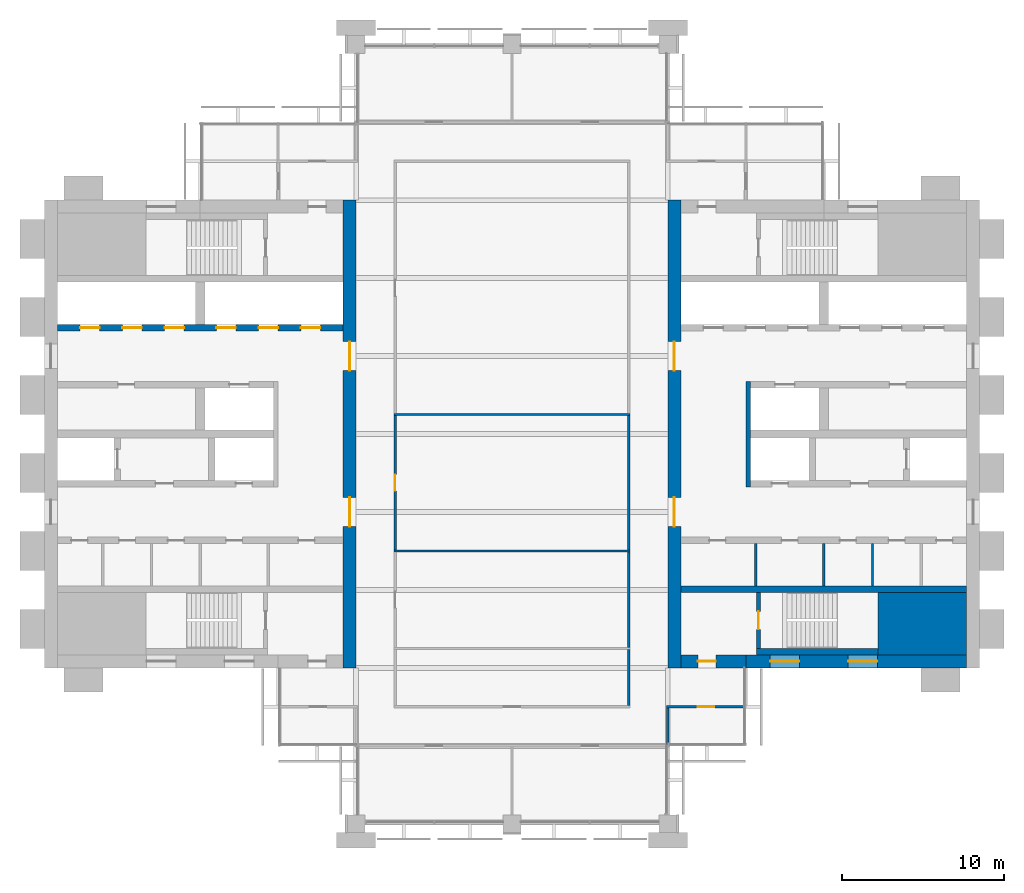
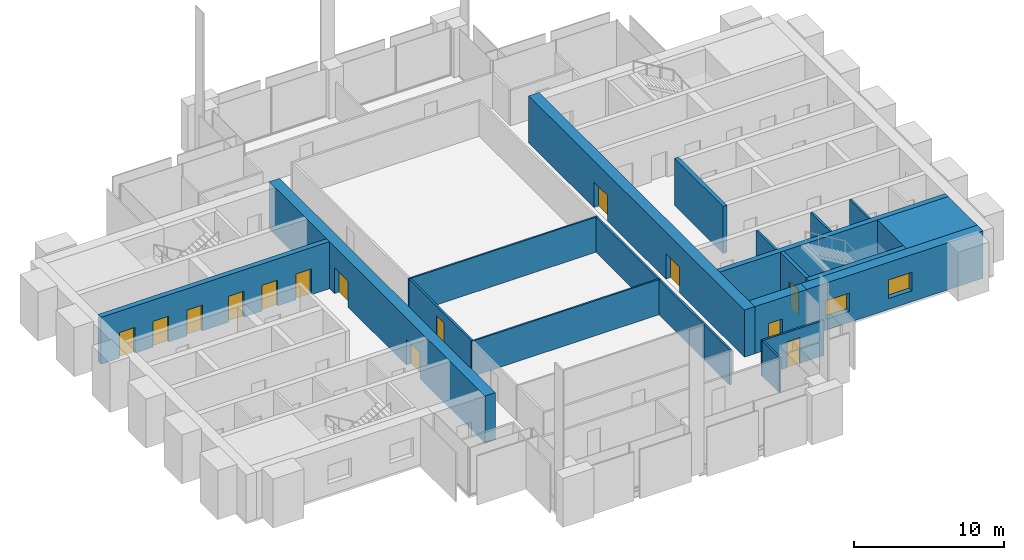
# One storey, part 9 of 13: 21 walls, 14 doors, 2 windows, 16 openings.
"""IFC4 building model written with IfcOpenShell, lengths in metres."""

from ifc_helpers import new_model, si_unit, direction, frame, frame_2d, origin, place, context, subcontext, project, spatial, rectangle, extrude, material, layer, layer_set, type_object, element, fill, save


model = new_model("IFC4")

# Units and contexts
model_context = context("Model", 3, precision=1e-05, world=origin(), true_north=direction((0.0, 1.0)))
body_context = subcontext(model_context, "Body", "Model", "MODEL_VIEW")
ifc_project = project(units=[si_unit("LENGTHUNIT", "METRE"), si_unit("AREAUNIT", "SQUARE_METRE"), si_unit("VOLUMEUNIT", "CUBIC_METRE"), si_unit("PLANEANGLEUNIT", "RADIAN"), si_unit("MASSUNIT", "GRAM", prefix="KILO")], contexts=[model_context])

# Site, building, storey
site_placement = place(None, origin())
site = spatial("IfcSite", under=ifc_project, at=site_placement, CompositionType="ELEMENT")
building_placement = place(site_placement, origin())
building = spatial("IfcBuilding", under=site, at=building_placement, Name="Baori Bourse Tower", CompositionType="ELEMENT")
storey_placement = place(building_placement, frame((0.0, 0.0, 249.199951171875)))
storey = spatial("IfcBuildingStorey", under=building, at=storey_placement, Name="L55", CompositionType="ELEMENT", Elevation=249.199951171875)

# Walls
ifc_material_1 = material(Name="Concrete f'c 50 MPa", Category="concrete")
wall_type_1 = type_object("IfcWallType", Name="Core corner block f'c 50", PredefinedType="SHEAR", material=ifc_material_1)
wall_1_placement = place(storey_placement, frame((51.35009765625, 12.324951171875, 0.0), z_axis=(0.0, 0.0, 1.0), x_axis=(1.0, 0.0, 0.0)))
element("IfcWall", 1, at=wall_1_placement, inside=storey, type_object=wall_type_1, Name="Core wall E05", PredefinedType="SHEAR", context=body_context, shape_type="SweptSolid", body=[
    extrude(rectangle(XDim=5.449951171875, YDim=3.85009765625, at=frame_2d((2.72509765625, 0.0))), origin(), (0.0, 0.0, 1.0), 3.840087890625),
])
ifc_material_2 = material(Name="Blockwork partition", Category="masonry")
ifc_layer_1 = layer(ifc_material_2, 0.14990234375)
ifc_layer_set_1 = layer_set([ifc_layer_1], Name="Core partition 150")
wall_type_2 = type_object("IfcWallType", Name="Core partition 150", PredefinedType="PARTITIONING", material=ifc_layer_set_1)
for number, where, z_axis, x_axis, name in (
    (2, (51.0, 14.64990234375, 0.0), (0.0, 0.0, 1.0), (0.0, 1.0, 0.0), "Partition wall E10"),
    (3, (48.0, 14.64990234375, 0.0), (0.0, 0.0, 1.0), (0.0, 1.0, 0.0), "Partition wall E11"),
    (4, (43.800048828125, 14.64990234375, 0.0), (0.0, 0.0, 1.0), (0.0, 1.0, 0.0), "Partition wall E12"),
):
    element("IfcWall", number, at=place(storey_placement, frame(where, z_axis=z_axis, x_axis=x_axis)), inside=storey, type_object=wall_type_2, Name=name, PredefinedType="PARTITIONING", context=body_context, shape_type="SweptSolid", body=[
        extrude(rectangle(XDim=2.60009765625, YDim=0.14990234375, at=frame_2d((1.300048828125, 0.0))), origin(), (0.0, 0.0, 1.0), 3.840087890625),
    ])

# Wall, openings, doors
ifc_material_3 = material(Name="Concrete f'c 50 MPa", Category="concrete")
ifc_layer_2 = layer(ifc_material_3, 0.800048828125)
ifc_layer_set_2 = layer_set([ifc_layer_2], Name="Core wall 800 f'c 50")
wall_type_3 = type_object("IfcWallType", Name="Core wall 800 f'c 50", PredefinedType="SHEAR", material=ifc_layer_set_2)
wall_2_placement = place(storey_placement, frame((18.800048828125, 38.39990234375, 0.0), z_axis=(0.0, 0.0, 1.0), x_axis=(0.0, -1.0, 0.0)))
wall_2 = element("IfcWall", 5, at=wall_2_placement, inside=storey, type_object=wall_type_3, Name="Core wall W04", PredefinedType="SHEAR", context=body_context, shape_type="SweptSolid", body=[
    extrude(rectangle(XDim=28.7998046875, YDim=0.800048828125, at=frame_2d((14.39990234375, 0.0))), origin(), (0.0, 0.0, 1.0), 3.840087890625),
])
opening_1_placement = place(wall_2_placement, frame((18.300048828125, 0.0, 0.0)))
opening_1 = element("IfcOpeningElement", 6, at=opening_1_placement, cuts=wall_2, Name="Opening L55-D107", PredefinedType="OPENING", context=body_context, shape_type="SweptSolid", body=[
    extrude(rectangle(XDim=1.800048828125, YDim=2.10009765625, at=frame_2d((0.89990234375, 1.050048828125))), frame((0.0, 0.409912109375, 0.0), z_axis=(0.0, -1.0, 0.0), x_axis=(1.0, 0.0, 0.0)), (0.0, 0.0, 1.0), 0.820068359375),
])
opening_2_placement = place(wall_2_placement, frame((8.699951171875, 0.0, 0.0)))
opening_2 = element("IfcOpeningElement", 7, at=opening_2_placement, cuts=wall_2, Name="Opening L55-D108", PredefinedType="OPENING", context=body_context, shape_type="SweptSolid", body=[
    extrude(rectangle(XDim=1.800048828125, YDim=2.10009765625, at=frame_2d((0.89990234375, 1.050048828125))), frame((0.0, 0.409912109375, 0.0), z_axis=(0.0, -1.0, 0.0), x_axis=(1.0, 0.0, 0.0)), (0.0, 0.0, 1.0), 0.820068359375),
])
ifc_material_4 = material(Name="Painted steel door", Category="steel")
door_type_1 = type_object("IfcDoorType", Name="Core lobby door 1800", OperationType="DOUBLE_DOOR_SINGLE_SWING", PredefinedType="DOOR", material=ifc_material_4)
door_1_placement = place(opening_1_placement, origin())
door_1 = element("IfcDoor", 8, at=door_1_placement, inside=storey, type_object=door_type_1, Name="Lobby door W L55", OperationType="DOUBLE_DOOR_SINGLE_SWING", OverallHeight=2.10009765625, OverallWidth=1.800048828125, PredefinedType="DOOR", context=body_context, shape_type="SweptSolid", body=[
    extrude(rectangle(XDim=1.800048828125, YDim=2.10009765625, at=frame_2d((0.89990234375, 1.050048828125))), frame((0.0, 0.02490234375, 0.0), z_axis=(0.0, -1.0, 0.0), x_axis=(1.0, 0.0, 0.0)), (0.0, 0.0, 1.0), 0.050048828125),
])
fill(opening_1, door_1)
door_2_placement = place(opening_2_placement, origin())
door_2 = element("IfcDoor", 9, at=door_2_placement, inside=storey, type_object=door_type_1, Name="Lobby door W L55", OperationType="DOUBLE_DOOR_SINGLE_SWING", OverallHeight=2.10009765625, OverallWidth=1.800048828125, PredefinedType="DOOR", context=body_context, shape_type="SweptSolid", body=[
    extrude(rectangle(XDim=1.800048828125, YDim=2.10009765625, at=frame_2d((0.89990234375, 1.050048828125))), frame((0.0, 0.02490234375, 0.0), z_axis=(0.0, -1.0, 0.0), x_axis=(1.0, 0.0, 0.0)), (0.0, 0.0, 1.0), 0.050048828125),
])
fill(opening_2, door_2)

# Wall, openings, windows
wall_3_placement = place(storey_placement, frame((56.800048828125, 10.0, 0.0), z_axis=(0.0, 0.0, 1.0), x_axis=(-1.0, 0.0, 0.0)))
wall_3 = element("IfcWall", 10, at=wall_3_placement, inside=storey, type_object=wall_type_3, Name="Core wall E02", PredefinedType="SHEAR", context=body_context, shape_type="SweptSolid", body=[
    extrude(rectangle(XDim=13.60009765625, YDim=0.800048828125, at=frame_2d((6.800048828125, 0.0))), origin(), (0.0, 0.0, 1.0), 3.840087890625),
])
opening_3_placement = place(wall_3_placement, frame((5.5, 0.0, 0.89990234375)))
opening_3 = element("IfcOpeningElement", 11, at=opening_3_placement, cuts=wall_3, Name="Opening L55-KW203", PredefinedType="OPENING", context=body_context, shape_type="SweptSolid", body=[
    extrude(rectangle(XDim=1.800048828125, YDim=1.5, at=frame_2d((0.89990234375, 0.75))), frame((0.0, 0.409912109375, 0.0), z_axis=(0.0, -1.0, 0.0), x_axis=(1.0, 0.0, 0.0)), (0.0, 0.0, 1.0), 0.820068359375),
])
opening_4_placement = place(wall_3_placement, frame((10.300048828125, 0.0, 0.89990234375)))
opening_4 = element("IfcOpeningElement", 12, at=opening_4_placement, cuts=wall_3, Name="Opening L55-KW204", PredefinedType="OPENING", context=body_context, shape_type="SweptSolid", body=[
    extrude(rectangle(XDim=1.800048828125, YDim=1.5, at=frame_2d((0.89990234375, 0.75))), frame((0.0, 0.409912109375, 0.0), z_axis=(0.0, -1.0, 0.0), x_axis=(1.0, 0.0, 0.0)), (0.0, 0.0, 1.0), 0.820068359375),
])
ifc_material_5 = material(Name="Pale anodised aluminium", Category="aluminium")
window_type = type_object("IfcWindowType", Name="Stair window 1800 x 1500", PartitioningType="SINGLE_PANEL", PredefinedType="WINDOW", material=ifc_material_5)
window_1_placement = place(opening_3_placement, origin())
window_1 = element("IfcWindow", 13, at=window_1_placement, inside=storey, type_object=window_type, Name="Stair window E L55 3", OverallHeight=1.5, OverallWidth=1.800048828125, PartitioningType="SINGLE_PANEL", PredefinedType="WINDOW", context=body_context, shape_type="SweptSolid", body=[
    extrude(rectangle(XDim=1.800048828125, YDim=1.5, at=frame_2d((0.89990234375, 0.75))), frame((0.0, 0.030029296875, 0.0), z_axis=(0.0, -1.0, 0.0), x_axis=(1.0, 0.0, 0.0)), (0.0, 0.0, 1.0), 0.06005859375),
])
fill(opening_3, window_1)
window_2_placement = place(opening_4_placement, origin())
window_2 = element("IfcWindow", 14, at=window_2_placement, inside=storey, type_object=window_type, Name="Stair window E L55 4", OverallHeight=1.5, OverallWidth=1.800048828125, PartitioningType="SINGLE_PANEL", PredefinedType="WINDOW", context=body_context, shape_type="SweptSolid", body=[
    extrude(rectangle(XDim=1.800048828125, YDim=1.5, at=frame_2d((0.89990234375, 0.75))), frame((0.0, 0.030029296875, 0.0), z_axis=(0.0, -1.0, 0.0), x_axis=(1.0, 0.0, 0.0)), (0.0, 0.0, 1.0), 0.06005859375),
])
fill(opening_4, window_2)

# Wall, opening, door
wall_4_placement = place(storey_placement, frame((43.199951171875, 10.0, 0.0), z_axis=(0.0, 0.0, 1.0), x_axis=(-1.0, 0.0, 0.0)))
wall_4 = element("IfcWall", 15, at=wall_4_placement, inside=storey, type_object=wall_type_3, Name="Core wall E03", PredefinedType="SHEAR", context=body_context, shape_type="SweptSolid", body=[
    extrude(rectangle(XDim=4.0, YDim=0.800048828125, at=frame_2d((2.0, 0.0))), origin(), (0.0, 0.0, 1.0), 3.840087890625),
])
opening_5_placement = place(wall_4_placement, frame((1.85009765625, 0.0, 0.0)))
opening_5 = element("IfcOpeningElement", 16, at=opening_5_placement, cuts=wall_4, Name="Opening L55-D202", PredefinedType="OPENING", context=body_context, shape_type="SweptSolid", body=[
    extrude(rectangle(XDim=1.10009765625, YDim=2.10009765625, at=frame_2d((0.550048828125, 1.050048828125))), frame((0.0, 0.409912109375, 0.0), z_axis=(0.0, -1.0, 0.0), x_axis=(1.0, 0.0, 0.0)), (0.0, 0.0, 1.0), 0.820068359375),
])
ifc_material_6 = material(Name="Painted steel door", Category="steel")
door_type_2 = type_object("IfcDoorType", Name="Stair door 1100", OperationType="SINGLE_SWING_LEFT", PredefinedType="DOOR", material=ifc_material_6)
door_3_placement = place(opening_5_placement, origin())
door_3 = element("IfcDoor", 17, at=door_3_placement, inside=storey, type_object=door_type_2, Name="Stair vestibule door A E L55", OperationType="SINGLE_SWING_LEFT", OverallHeight=2.10009765625, OverallWidth=1.10009765625, PredefinedType="DOOR", context=body_context, shape_type="SweptSolid", body=[
    extrude(rectangle(XDim=1.10009765625, YDim=2.10009765625, at=frame_2d((0.550048828125, 1.050048828125))), frame((0.0, 0.02490234375, 0.0), z_axis=(0.0, -1.0, 0.0), x_axis=(1.0, 0.0, 0.0)), (0.0, 0.0, 1.0), 0.050048828125),
])
fill(opening_5, door_3)

# Wall, openings, doors
wall_5_placement = place(storey_placement, frame((38.800048828125, 9.60009765625, 0.0), z_axis=(0.0, 0.0, 1.0), x_axis=(0.0, 1.0, 0.0)))
wall_5 = element("IfcWall", 18, at=wall_5_placement, inside=storey, type_object=wall_type_3, Name="Core wall E04", PredefinedType="SHEAR", context=body_context, shape_type="SweptSolid", body=[
    extrude(rectangle(XDim=28.7998046875, YDim=0.800048828125, at=frame_2d((14.39990234375, 0.0))), origin(), (0.0, 0.0, 1.0), 3.840087890625),
])
opening_6_placement = place(wall_5_placement, frame((8.699951171875, 0.0, 0.0)))
opening_6 = element("IfcOpeningElement", 19, at=opening_6_placement, cuts=wall_5, Name="Opening L55-D207", PredefinedType="OPENING", context=body_context, shape_type="SweptSolid", body=[
    extrude(rectangle(XDim=1.800048828125, YDim=2.10009765625, at=frame_2d((0.89990234375, 1.050048828125))), frame((0.0, 0.409912109375, 0.0), z_axis=(0.0, -1.0, 0.0), x_axis=(1.0, 0.0, 0.0)), (0.0, 0.0, 1.0), 0.820068359375),
])
opening_7_placement = place(wall_5_placement, frame((18.300048828125, 0.0, 0.0)))
opening_7 = element("IfcOpeningElement", 20, at=opening_7_placement, cuts=wall_5, Name="Opening L55-D208", PredefinedType="OPENING", context=body_context, shape_type="SweptSolid", body=[
    extrude(rectangle(XDim=1.800048828125, YDim=2.10009765625, at=frame_2d((0.89990234375, 1.050048828125))), frame((0.0, 0.409912109375, 0.0), z_axis=(0.0, -1.0, 0.0), x_axis=(1.0, 0.0, 0.0)), (0.0, 0.0, 1.0), 0.820068359375),
])
door_4_placement = place(opening_6_placement, origin())
door_4 = element("IfcDoor", 21, at=door_4_placement, inside=storey, type_object=door_type_1, Name="Lobby door E L55", OperationType="DOUBLE_DOOR_SINGLE_SWING", OverallHeight=2.10009765625, OverallWidth=1.800048828125, PredefinedType="DOOR", context=body_context, shape_type="SweptSolid", body=[
    extrude(rectangle(XDim=1.800048828125, YDim=2.10009765625, at=frame_2d((0.89990234375, 1.050048828125))), frame((0.0, 0.02490234375, 0.0), z_axis=(0.0, -1.0, 0.0), x_axis=(1.0, 0.0, 0.0)), (0.0, 0.0, 1.0), 0.050048828125),
])
fill(opening_6, door_4)
door_5_placement = place(opening_7_placement, origin())
door_5 = element("IfcDoor", 22, at=door_5_placement, inside=storey, type_object=door_type_1, Name="Lobby door E L55", OperationType="DOUBLE_DOOR_SINGLE_SWING", OverallHeight=2.10009765625, OverallWidth=1.800048828125, PredefinedType="DOOR", context=body_context, shape_type="SweptSolid", body=[
    extrude(rectangle(XDim=1.800048828125, YDim=2.10009765625, at=frame_2d((0.89990234375, 1.050048828125))), frame((0.0, 0.02490234375, 0.0), z_axis=(0.0, -1.0, 0.0), x_axis=(1.0, 0.0, 0.0)), (0.0, 0.0, 1.0), 0.050048828125),
])
fill(opening_7, door_5)

# Wall, opening, door
ifc_material_7 = material(Name="Gypsum board partition")
ifc_layer_3 = layer(ifc_material_7, 0.14990234375)
ifc_layer_set_3 = layer_set([ifc_layer_3], Name="Corridor partition 150")
wall_type_4 = type_object("IfcWallType", Name="Corridor partition 150", PredefinedType="PARTITIONING", material=ifc_layer_set_3)
wall_6_placement = place(storey_placement, frame((38.324951171875, 7.199951171875, 0.0), z_axis=(0.0, 0.0, 1.0), x_axis=(1.0, 0.0, 0.0)))
wall_6 = element("IfcWall", 23, at=wall_6_placement, inside=storey, type_object=wall_type_4, Name="Partition", PredefinedType="PARTITIONING", context=body_context, shape_type="SweptSolid", body=[
    extrude(rectangle(XDim=4.775146484375, YDim=0.14990234375, at=frame_2d((2.3876953125, 0.0))), origin(), (0.0, 0.0, 1.0), 2.869873046875),
])
opening_8_placement = place(wall_6_placement, frame((1.925048828125, 0.0, 0.0)))
opening_8 = element("IfcOpeningElement", 24, at=opening_8_placement, cuts=wall_6, Name="Opening L55-D05", PredefinedType="OPENING", context=body_context, shape_type="SweptSolid", body=[
    extrude(rectangle(XDim=1.0, YDim=2.10009765625, at=frame_2d((0.5, 1.050048828125))), frame((0.0, 0.0849609375, 0.0), z_axis=(0.0, -1.0, 0.0), x_axis=(1.0, 0.0, 0.0)), (0.0, 0.0, 1.0), 0.169921875),
])
ifc_material_8 = material(Name="Timber door leaf", Category="wood")
door_type_3 = type_object("IfcDoorType", Name="Door 1000 x 2100", OperationType="SINGLE_SWING_LEFT", PredefinedType="DOOR", material=ifc_material_8)
door_6_placement = place(opening_8_placement, origin())
door_6 = element("IfcDoor", 25, at=door_6_placement, inside=storey, type_object=door_type_3, Name="Door", OperationType="SINGLE_SWING_RIGHT", OverallHeight=2.10009765625, OverallWidth=1.0, PredefinedType="DOOR", context=body_context, shape_type="SweptSolid", body=[
    extrude(rectangle(XDim=1.0, YDim=2.10009765625, at=frame_2d((0.5, 1.050048828125))), frame((0.0, 0.02490234375, 0.0), z_axis=(0.0, -1.0, 0.0), x_axis=(1.0, 0.0, 0.0)), (0.0, 0.0, 1.0), 0.050048828125),
])
fill(opening_8, door_6)

wall_7_placement = place(storey_placement, frame((21.60009765625, 16.862548828125, 0.0), z_axis=(0.0, 0.0, 1.0), x_axis=(0.0, 1.0, 0.0)))
wall_7 = element("IfcWall", 26, at=wall_7_placement, inside=storey, type_object=wall_type_4, Name="Partition", PredefinedType="PARTITIONING", context=body_context, shape_type="SweptSolid", body=[
    extrude(rectangle(XDim=8.27490234375, YDim=0.14990234375, at=frame_2d((4.137451171875, 0.0))), origin(), (0.0, 0.0, 1.0), 2.869873046875),
])
opening_9_placement = place(wall_7_placement, frame((3.637451171875, 0.0, 0.0)))
opening_9 = element("IfcOpeningElement", 27, at=opening_9_placement, cuts=wall_7, Name="Opening L55-D12", PredefinedType="OPENING", context=body_context, shape_type="SweptSolid", body=[
    extrude(rectangle(XDim=1.0, YDim=2.10009765625, at=frame_2d((0.5, 1.050048828125))), frame((0.0, 0.0849609375, 0.0), z_axis=(0.0, -1.0, 0.0), x_axis=(1.0, 0.0, 0.0)), (0.0, 0.0, 1.0), 0.169921875),
])
door_7_placement = place(opening_9_placement, origin())
door_7 = element("IfcDoor", 28, at=door_7_placement, inside=storey, type_object=door_type_3, Name="Door", OperationType="SINGLE_SWING_LEFT", OverallHeight=2.10009765625, OverallWidth=1.0, PredefinedType="DOOR", context=body_context, shape_type="SweptSolid", body=[
    extrude(rectangle(XDim=1.0, YDim=2.10009765625, at=frame_2d((0.5, 1.050048828125))), frame((0.0, 0.02490234375, 0.0), z_axis=(0.0, -1.0, 0.0), x_axis=(1.0, 0.0, 0.0)), (0.0, 0.0, 1.0), 0.050048828125),
])
fill(opening_9, door_7)

# Walls
wall_8_placement = place(storey_placement, frame((36.0, 7.27490234375, 0.0), z_axis=(0.0, 0.0, 1.0), x_axis=(0.0, 1.0, 0.0)))
element("IfcWall", 29, at=wall_8_placement, inside=storey, type_object=wall_type_4, Name="Partition", PredefinedType="PARTITIONING", context=body_context, shape_type="SweptSolid", body=[
    extrude(rectangle(XDim=3.462646484375, YDim=0.14990234375, at=frame_2d((1.7314453125, 0.0))), origin(), (0.0, 0.0, 1.0), 2.869873046875),
])
wall_9_placement = place(storey_placement, frame((36.0, 10.862548828125, 0.0), z_axis=(0.0, 0.0, 1.0), x_axis=(0.0, 1.0, 0.0)))
element("IfcWall", 30, at=wall_9_placement, inside=storey, type_object=wall_type_4, Name="Partition", PredefinedType="PARTITIONING", context=body_context, shape_type="SweptSolid", body=[
    extrude(rectangle(XDim=5.875, YDim=0.14990234375, at=frame_2d((2.9375, 0.0))), origin(), (0.0, 0.0, 1.0), 2.869873046875),
])
wall_10_placement = place(storey_placement, frame((36.0, 16.862548828125, 0.0), z_axis=(0.0, 0.0, 1.0), x_axis=(0.0, 1.0, 0.0)))
element("IfcWall", 31, at=wall_10_placement, inside=storey, type_object=wall_type_4, Name="Partition", PredefinedType="PARTITIONING", context=body_context, shape_type="SweptSolid", body=[
    extrude(rectangle(XDim=8.27490234375, YDim=0.14990234375, at=frame_2d((4.137451171875, 0.0))), origin(), (0.0, 0.0, 1.0), 2.869873046875),
])
wall_11_placement = place(storey_placement, frame((38.39990234375, 4.875, 0.0), z_axis=(0.0, 0.0, 1.0), x_axis=(0.0, 1.0, 0.0)))
element("IfcWall", 32, at=wall_11_placement, inside=storey, type_object=wall_type_4, Name="Partition", PredefinedType="PARTITIONING", context=body_context, shape_type="SweptSolid", body=[
    extrude(rectangle(XDim=2.25, YDim=0.14990234375, at=frame_2d((1.125, 0.0))), origin(), (0.0, 0.0, 1.0), 2.869873046875),
])
ifc_material_9 = material(Name="Gypsum board partition")
ifc_layer_4 = layer(ifc_material_9, 0.125)
ifc_layer_set_4 = layer_set([ifc_layer_4], Name="Partition 125")
wall_type_5 = type_object("IfcWallType", Name="Partition 125", PredefinedType="PARTITIONING", material=ifc_layer_set_4)
for number, where, z_axis, x_axis, name in (
    (33, (21.52490234375, 16.800048828125, 0.0), (0.0, 0.0, 1.0), (1.0, 0.0, 0.0), "Partition"),
    (34, (21.52490234375, 25.199951171875, 0.0), (0.0, 0.0, 1.0), (1.0, 0.0, 0.0), "Partition"),
):
    element("IfcWall", number, at=place(storey_placement, frame(where, z_axis=z_axis, x_axis=x_axis)), inside=storey, type_object=wall_type_5, Name=name, PredefinedType="PARTITIONING", context=body_context, shape_type="SweptSolid", body=[
        extrude(rectangle(XDim=14.550048828125, YDim=0.125, at=frame_2d((7.27490234375, 0.0))), origin(), (0.0, 0.0, 1.0), 2.869873046875),
    ])

# Wall, opening, door
ifc_material_10 = material(Name="Concrete f'c 50 MPa", Category="concrete")
ifc_layer_5 = layer(ifc_material_10, 0.25)
ifc_layer_set_5 = layer_set([ifc_layer_5], Name="Shaft wall 250 f'c 50")
wall_type_6 = type_object("IfcWallType", Name="Shaft wall 250 f'c 50", PredefinedType="SHEAR", material=ifc_layer_set_5)
wall_12_placement = place(storey_placement, frame((43.97509765625, 10.800048828125, 0.0), z_axis=(0.0, 0.0, 1.0), x_axis=(0.0, 1.0, 0.0)))
wall_12 = element("IfcWall", 35, at=wall_12_placement, inside=storey, type_object=wall_type_6, Name="Core wall E07", PredefinedType="SHEAR", context=body_context, shape_type="SweptSolid", body=[
    extrude(rectangle(XDim=3.449951171875, YDim=0.25, at=frame_2d((1.72509765625, 0.0))), origin(), (0.0, 0.0, 1.0), 3.840087890625),
])
opening_10_placement = place(wall_12_placement, frame((1.175048828125, 0.0, 0.0)))
opening_10 = element("IfcOpeningElement", 36, at=opening_10_placement, cuts=wall_12, Name="Opening L55-D201", PredefinedType="OPENING", context=body_context, shape_type="SweptSolid", body=[
    extrude(rectangle(XDim=1.10009765625, YDim=2.10009765625, at=frame_2d((0.550048828125, 1.050048828125))), frame((0.0, 0.135009765625, 0.0), z_axis=(0.0, -1.0, 0.0), x_axis=(1.0, 0.0, 0.0)), (0.0, 0.0, 1.0), 0.27001953125),
])
door_8_placement = place(opening_10_placement, origin())
door_8 = element("IfcDoor", 37, at=door_8_placement, inside=storey, type_object=door_type_2, Name="Stair door A E L55", OperationType="SINGLE_SWING_LEFT", OverallHeight=2.10009765625, OverallWidth=1.10009765625, PredefinedType="DOOR", context=body_context, shape_type="SweptSolid", body=[
    extrude(rectangle(XDim=1.10009765625, YDim=2.10009765625, at=frame_2d((0.550048828125, 1.050048828125))), frame((0.0, 0.02490234375, 0.0), z_axis=(0.0, -1.0, 0.0), x_axis=(1.0, 0.0, 0.0)), (0.0, 0.0, 1.0), 0.050048828125),
])
fill(opening_10, door_8)

# Wall
ifc_material_11 = material(Name="Concrete f'c 50 MPa", Category="concrete")
ifc_layer_6 = layer(ifc_material_11, 0.300048828125)
ifc_layer_set_6 = layer_set([ifc_layer_6], Name="Shaft wall 300 f'c 50")
wall_type_7 = type_object("IfcWallType", Name="Shaft wall 300 f'c 50", PredefinedType="SHEAR", material=ifc_layer_set_6)
wall_13_placement = place(storey_placement, frame((43.35009765625, 20.75, 0.0), z_axis=(0.0, 0.0, 1.0), x_axis=(0.0, 1.0, 0.0)))
element("IfcWall", 38, at=wall_13_placement, inside=storey, type_object=wall_type_7, Name="Core wall E15", PredefinedType="SHEAR", context=body_context, shape_type="SweptSolid", body=[
    extrude(rectangle(XDim=6.5, YDim=0.300048828125, at=frame_2d((3.25, 0.0))), origin(), (0.0, 0.0, 1.0), 3.840087890625),
])

# Wall, openings, doors
ifc_material_12 = material(Name="Concrete f'c 50 MPa", Category="concrete")
ifc_layer_7 = layer(ifc_material_12, 0.39990234375)
ifc_layer_set_7 = layer_set([ifc_layer_7], Name="Shaft wall 400 f'c 50")
wall_type_8 = type_object("IfcWallType", Name="Shaft wall 400 f'c 50", PredefinedType="SHEAR", material=ifc_layer_set_7)
wall_14_placement = place(storey_placement, frame((0.800048828125, 30.550048828125, 0.0), z_axis=(0.0, 0.0, 1.0), x_axis=(1.0, 0.0, 0.0)))
wall_14 = element("IfcWall", 39, at=wall_14_placement, inside=storey, type_object=wall_type_8, Name="Core wall W21", PredefinedType="SHEAR", context=body_context, shape_type="SweptSolid", body=[
    extrude(rectangle(XDim=17.599853515625, YDim=0.39990234375, at=frame_2d((8.7998046875, 0.0))), origin(), (0.0, 0.0, 1.0), 3.840087890625),
])
opening_11_placement = place(wall_14_placement, frame((1.39990234375, 0.0, 0.0)))
opening_11 = element("IfcOpeningElement", 40, at=opening_11_placement, cuts=wall_14, Name="Opening L55-D115", PredefinedType="OPENING", context=body_context, shape_type="SweptSolid", body=[
    extrude(rectangle(XDim=1.199951171875, YDim=2.10009765625, at=frame_2d((0.60009765625, 1.050048828125))), frame((0.0, 0.2099609375, 0.0), z_axis=(0.0, -1.0, 0.0), x_axis=(1.0, 0.0, 0.0)), (0.0, 0.0, 1.0), 0.419921875),
])
opening_12_placement = place(wall_14_placement, frame((4.0, 0.0, 0.0)))
opening_12 = element("IfcOpeningElement", 41, at=opening_12_placement, cuts=wall_14, Name="Opening L55-D116", PredefinedType="OPENING", context=body_context, shape_type="SweptSolid", body=[
    extrude(rectangle(XDim=1.199951171875, YDim=2.10009765625, at=frame_2d((0.60009765625, 1.050048828125))), frame((0.0, 0.2099609375, 0.0), z_axis=(0.0, -1.0, 0.0), x_axis=(1.0, 0.0, 0.0)), (0.0, 0.0, 1.0), 0.419921875),
])
opening_13_placement = place(wall_14_placement, frame((6.60009765625, 0.0, 0.0)))
opening_13 = element("IfcOpeningElement", 42, at=opening_13_placement, cuts=wall_14, Name="Opening L55-D117", PredefinedType="OPENING", context=body_context, shape_type="SweptSolid", body=[
    extrude(rectangle(XDim=1.199951171875, YDim=2.10009765625, at=frame_2d((0.60009765625, 1.050048828125))), frame((0.0, 0.2099609375, 0.0), z_axis=(0.0, -1.0, 0.0), x_axis=(1.0, 0.0, 0.0)), (0.0, 0.0, 1.0), 0.419921875),
])
opening_14_placement = place(wall_14_placement, frame((9.800048828125, 0.0, 0.0)))
opening_14 = element("IfcOpeningElement", 43, at=opening_14_placement, cuts=wall_14, Name="Opening L55-D118", PredefinedType="OPENING", context=body_context, shape_type="SweptSolid", body=[
    extrude(rectangle(XDim=1.199951171875, YDim=2.10009765625, at=frame_2d((0.60009765625, 1.050048828125))), frame((0.0, 0.2099609375, 0.0), z_axis=(0.0, -1.0, 0.0), x_axis=(1.0, 0.0, 0.0)), (0.0, 0.0, 1.0), 0.419921875),
])
opening_15_placement = place(wall_14_placement, frame((12.39990234375, 0.0, 0.0)))
opening_15 = element("IfcOpeningElement", 44, at=opening_15_placement, cuts=wall_14, Name="Opening L55-D119", PredefinedType="OPENING", context=body_context, shape_type="SweptSolid", body=[
    extrude(rectangle(XDim=1.199951171875, YDim=2.10009765625, at=frame_2d((0.60009765625, 1.050048828125))), frame((0.0, 0.2099609375, 0.0), z_axis=(0.0, -1.0, 0.0), x_axis=(1.0, 0.0, 0.0)), (0.0, 0.0, 1.0), 0.419921875),
])
opening_16_placement = place(wall_14_placement, frame((15.0, 0.0, 0.0)))
opening_16 = element("IfcOpeningElement", 45, at=opening_16_placement, cuts=wall_14, Name="Opening L55-D120", PredefinedType="OPENING", context=body_context, shape_type="SweptSolid", body=[
    extrude(rectangle(XDim=1.199951171875, YDim=2.10009765625, at=frame_2d((0.60009765625, 1.050048828125))), frame((0.0, 0.2099609375, 0.0), z_axis=(0.0, -1.0, 0.0), x_axis=(1.0, 0.0, 0.0)), (0.0, 0.0, 1.0), 0.419921875),
])
ifc_material_13 = material(Name="Stainless steel door", Category="steel")
door_type_4 = type_object("IfcDoorType", Name="Lift landing door", OperationType="DOUBLE_DOOR_SLIDING", PredefinedType="DOOR", material=ifc_material_13)
door_9_placement = place(opening_11_placement, origin())
door_9 = element("IfcDoor", 46, at=door_9_placement, inside=storey, type_object=door_type_4, Name="Lift landing door HR1 W L55", OperationType="DOUBLE_DOOR_SLIDING", OverallHeight=2.10009765625, OverallWidth=1.199951171875, PredefinedType="DOOR", context=body_context, shape_type="SweptSolid", body=[
    extrude(rectangle(XDim=1.199951171875, YDim=2.10009765625, at=frame_2d((0.60009765625, 1.050048828125))), frame((0.0, 0.02490234375, 0.0), z_axis=(0.0, -1.0, 0.0), x_axis=(1.0, 0.0, 0.0)), (0.0, 0.0, 1.0), 0.050048828125),
])
fill(opening_11, door_9)
door_10_placement = place(opening_12_placement, origin())
door_10 = element("IfcDoor", 47, at=door_10_placement, inside=storey, type_object=door_type_4, Name="Lift landing door HR2 W L55", OperationType="DOUBLE_DOOR_SLIDING", OverallHeight=2.10009765625, OverallWidth=1.199951171875, PredefinedType="DOOR", context=body_context, shape_type="SweptSolid", body=[
    extrude(rectangle(XDim=1.199951171875, YDim=2.10009765625, at=frame_2d((0.60009765625, 1.050048828125))), frame((0.0, 0.02490234375, 0.0), z_axis=(0.0, -1.0, 0.0), x_axis=(1.0, 0.0, 0.0)), (0.0, 0.0, 1.0), 0.050048828125),
])
fill(opening_12, door_10)
door_11_placement = place(opening_13_placement, origin())
door_11 = element("IfcDoor", 48, at=door_11_placement, inside=storey, type_object=door_type_4, Name="Lift landing door HR3 W L55", OperationType="DOUBLE_DOOR_SLIDING", OverallHeight=2.10009765625, OverallWidth=1.199951171875, PredefinedType="DOOR", context=body_context, shape_type="SweptSolid", body=[
    extrude(rectangle(XDim=1.199951171875, YDim=2.10009765625, at=frame_2d((0.60009765625, 1.050048828125))), frame((0.0, 0.02490234375, 0.0), z_axis=(0.0, -1.0, 0.0), x_axis=(1.0, 0.0, 0.0)), (0.0, 0.0, 1.0), 0.050048828125),
])
fill(opening_13, door_11)
door_12_placement = place(opening_14_placement, origin())
door_12 = element("IfcDoor", 49, at=door_12_placement, inside=storey, type_object=door_type_4, Name="Lift landing door HR4 W L55", OperationType="DOUBLE_DOOR_SLIDING", OverallHeight=2.10009765625, OverallWidth=1.199951171875, PredefinedType="DOOR", context=body_context, shape_type="SweptSolid", body=[
    extrude(rectangle(XDim=1.199951171875, YDim=2.10009765625, at=frame_2d((0.60009765625, 1.050048828125))), frame((0.0, 0.02490234375, 0.0), z_axis=(0.0, -1.0, 0.0), x_axis=(1.0, 0.0, 0.0)), (0.0, 0.0, 1.0), 0.050048828125),
])
fill(opening_14, door_12)
door_13_placement = place(opening_15_placement, origin())
door_13 = element("IfcDoor", 50, at=door_13_placement, inside=storey, type_object=door_type_4, Name="Lift landing door HR5 W L55", OperationType="DOUBLE_DOOR_SLIDING", OverallHeight=2.10009765625, OverallWidth=1.199951171875, PredefinedType="DOOR", context=body_context, shape_type="SweptSolid", body=[
    extrude(rectangle(XDim=1.199951171875, YDim=2.10009765625, at=frame_2d((0.60009765625, 1.050048828125))), frame((0.0, 0.02490234375, 0.0), z_axis=(0.0, -1.0, 0.0), x_axis=(1.0, 0.0, 0.0)), (0.0, 0.0, 1.0), 0.050048828125),
])
fill(opening_15, door_13)
door_14_placement = place(opening_16_placement, origin())
door_14 = element("IfcDoor", 51, at=door_14_placement, inside=storey, type_object=door_type_4, Name="Lift landing door HR6 W L55", OperationType="DOUBLE_DOOR_SLIDING", OverallHeight=2.10009765625, OverallWidth=1.199951171875, PredefinedType="DOOR", context=body_context, shape_type="SweptSolid", body=[
    extrude(rectangle(XDim=1.199951171875, YDim=2.10009765625, at=frame_2d((0.60009765625, 1.050048828125))), frame((0.0, 0.02490234375, 0.0), z_axis=(0.0, -1.0, 0.0), x_axis=(1.0, 0.0, 0.0)), (0.0, 0.0, 1.0), 0.050048828125),
])
fill(opening_16, door_14)

# Walls
wall_15_placement = place(storey_placement, frame((43.85009765625, 10.60009765625, 0.0), z_axis=(0.0, 0.0, 1.0), x_axis=(1.0, 0.0, 0.0)))
element("IfcWall", 52, at=wall_15_placement, inside=storey, type_object=wall_type_8, Name="Core wall E06", PredefinedType="SHEAR", context=body_context, shape_type="SweptSolid", body=[
    extrude(rectangle(XDim=7.5, YDim=0.39990234375, at=frame_2d((3.75, 0.0))), origin(), (0.0, 0.0, 1.0), 3.840087890625),
])
wall_16_placement = place(storey_placement, frame((39.199951171875, 14.449951171875, 0.0), z_axis=(0.0, 0.0, 1.0), x_axis=(1.0, 0.0, 0.0)))
element("IfcWall", 53, at=wall_16_placement, inside=storey, type_object=wall_type_8, Name="Core wall E08", PredefinedType="SHEAR", context=body_context, shape_type="SweptSolid", body=[
    extrude(rectangle(XDim=17.60009765625, YDim=0.39990234375, at=frame_2d((8.800048828125, 0.0))), origin(), (0.0, 0.0, 1.0), 3.840087890625),
])

save(model, "model.ifc")
